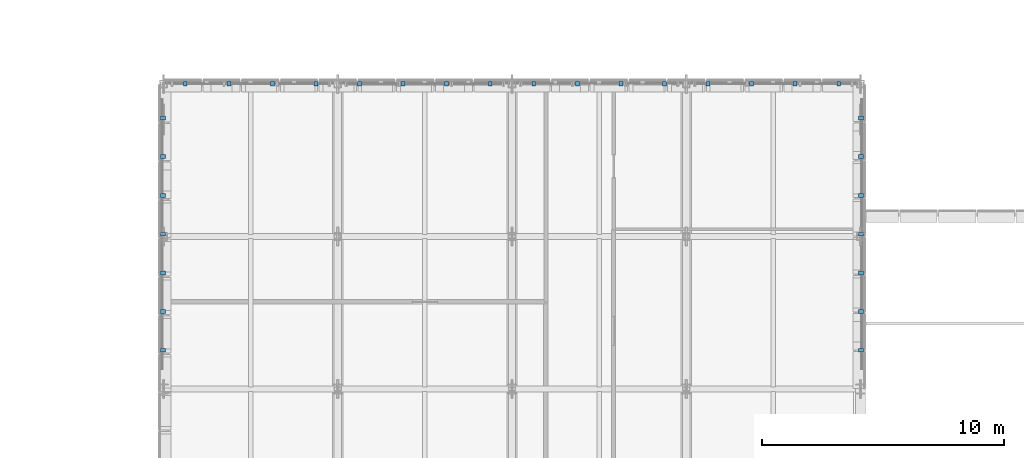
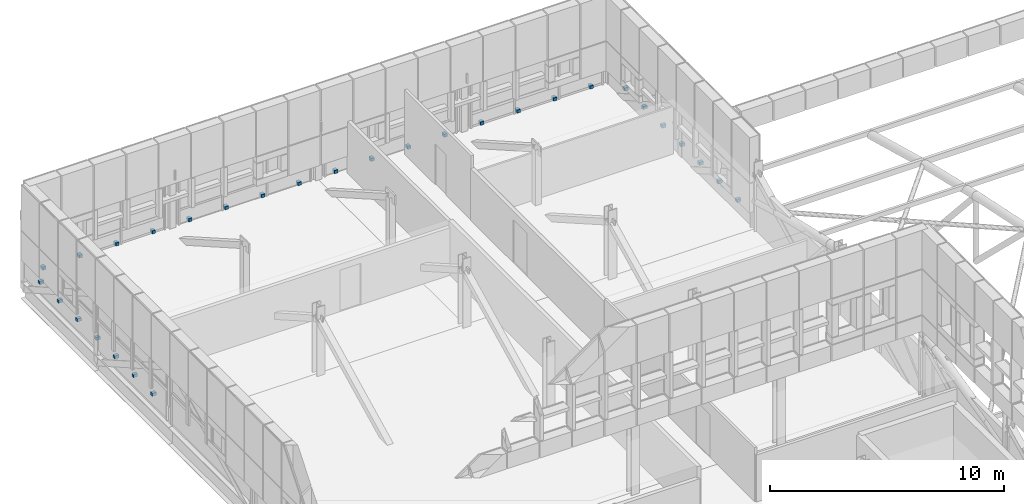
# One storey, part 73 of 96: 30 discrete accessories.
"""IFC4 building model written with IfcOpenShell, lengths in metres."""

from ifc_helpers import new_model, si_unit, direction, frame, origin, origin_2d, place, context, subcontext, project, spatial, rectangle, extrude, material, type_object, element, save


model = new_model("IFC4")

# Units and contexts
model_context = context("Model", 3, precision=1e-05, world=origin(), true_north=direction((0.0, 1.0)))
body_context = subcontext(model_context, "Body", "Model", "MODEL_VIEW")
ifc_project = project(units=[si_unit("LENGTHUNIT", "METRE"), si_unit("AREAUNIT", "SQUARE_METRE"), si_unit("VOLUMEUNIT", "CUBIC_METRE"), si_unit("PLANEANGLEUNIT", "RADIAN"), si_unit("MASSUNIT", "GRAM", prefix="KILO")], contexts=[model_context])

# Site, building, storey
site_placement = place(None, origin())
site = spatial("IfcSite", under=ifc_project, at=site_placement, CompositionType="ELEMENT")
building_placement = place(site_placement, origin())
building = spatial("IfcBuilding", under=site, at=building_placement, Name="Yarey Park Central Fire Station", CompositionType="ELEMENT")
storey_placement = place(building_placement, frame((0.0, 0.0, 14.39990234375)))
storey = spatial("IfcBuildingStorey", under=building, at=storey_placement, Name="L04", CompositionType="ELEMENT", Elevation=14.39990234375)

# Discrete accessories
ifc_material = material(Name="Stainless Steel AISI 316L", Category="steel")
discrete_accessory_type = type_object("IfcDiscreteAccessoryType", Name="ENV_BRK_SS1", PredefinedType="BRACKET", material=ifc_material)
for number, where, z_axis, x_axis, name in (
    (1, (29.699951171875, 99.010009765625, 0.0), (0.0, 0.0, 1.0), (1.0, 0.0, 0.0), "BRK_SCR_L04_N_031"),
    (2, (31.5, 99.010009765625, 0.0), (0.0, 0.0, 1.0), (1.0, 0.0, 0.0), "BRK_SCR_L04_N_032"),
    (3, (33.300048828125, 99.010009765625, 0.0), (0.0, 0.0, 1.0), (1.0, 0.0, 0.0), "BRK_SCR_L04_N_033"),
    (4, (35.10009765625, 99.010009765625, 0.0), (0.0, 0.0, 1.0), (1.0, 0.0, 0.0), "BRK_SCR_L04_N_034"),
    (5, (36.89990234375, 99.010009765625, 0.0), (0.0, 0.0, 1.0), (1.0, 0.0, 0.0), "BRK_SCR_L04_N_035"),
    (6, (38.699951171875, 99.010009765625, 0.0), (0.0, 0.0, 1.0), (1.0, 0.0, 0.0), "BRK_SCR_L04_N_036"),
    (7, (40.5, 99.010009765625, 0.0), (0.0, 0.0, 1.0), (1.0, 0.0, 0.0), "BRK_SCR_L04_N_037"),
    (8, (42.300048828125, 99.010009765625, 0.0), (0.0, 0.0, 1.0), (1.0, 0.0, 0.0), "BRK_SCR_L04_N_038"),
    (9, (44.10009765625, 99.010009765625, 0.0), (0.0, 0.0, 1.0), (1.0, 0.0, 0.0), "BRK_SCR_L04_N_039"),
    (10, (45.89990234375, 99.010009765625, 0.0), (0.0, 0.0, 1.0), (1.0, 0.0, 0.0), "BRK_SCR_L04_N_040"),
    (11, (47.699951171875, 99.010009765625, 0.0), (0.0, 0.0, 1.0), (1.0, 0.0, 0.0), "BRK_SCR_L04_N_041"),
    (12, (49.5, 99.010009765625, 0.0), (0.0, 0.0, 1.0), (1.0, 0.0, 0.0), "BRK_SCR_L04_N_042"),
    (13, (51.300048828125, 99.010009765625, 0.0), (0.0, 0.0, 1.0), (1.0, 0.0, 0.0), "BRK_SCR_L04_N_043"),
    (14, (53.10009765625, 99.010009765625, 0.0), (0.0, 0.0, 1.0), (1.0, 0.0, 0.0), "BRK_SCR_L04_N_044"),
    (15, (54.89990234375, 99.010009765625, 0.0), (0.0, 0.0, 1.0), (1.0, 0.0, 0.0), "BRK_SCR_L04_N_045"),
    (16, (56.699951171875, 99.010009765625, 0.0), (0.0, 0.0, 1.0), (1.0, 0.0, 0.0), "BRK_SCR_L04_N_046"),
):
    element("IfcDiscreteAccessory", number, at=place(storey_placement, frame(where, z_axis=z_axis, x_axis=x_axis)), inside=storey, type_object=discrete_accessory_type, Name=name, PredefinedType="BRACKET", context=body_context, shape_type="SweptSolid", body=[
        extrude(rectangle(XDim=0.159912109375, YDim=0.199951171875, at=origin_2d()), origin(), (0.0, 0.0, 1.0), 0.159912109375),
    ])
for number, where, z_axis, x_axis, name in (
    (17, (28.780029296875, 88.0, 0.419921875), (0.0, 0.0, 1.0), (1.0, 0.0, 0.0), "BRK_SCR_L04_SIDE_047"),
    (18, (57.6201171875, 88.0, 0.419921875), (0.0, 0.0, 1.0), (1.0, 0.0, 0.0), "BRK_SCR_L04_SIDE_048"),
    (19, (28.780029296875, 89.60009765625, 0.419921875), (0.0, 0.0, 1.0), (1.0, 0.0, 0.0), "BRK_SCR_L04_SIDE_049"),
    (20, (57.6201171875, 89.60009765625, 0.419921875), (0.0, 0.0, 1.0), (1.0, 0.0, 0.0), "BRK_SCR_L04_SIDE_050"),
    (21, (28.780029296875, 91.199951171875, 0.419921875), (0.0, 0.0, 1.0), (1.0, 0.0, 0.0), "BRK_SCR_L04_SIDE_051"),
    (22, (57.6201171875, 91.199951171875, 0.419921875), (0.0, 0.0, 1.0), (1.0, 0.0, 0.0), "BRK_SCR_L04_SIDE_052"),
    (23, (28.780029296875, 92.800048828125, 0.419921875), (0.0, 0.0, 1.0), (1.0, 0.0, 0.0), "BRK_SCR_L04_SIDE_053"),
    (24, (57.6201171875, 92.800048828125, 0.419921875), (0.0, 0.0, 1.0), (1.0, 0.0, 0.0), "BRK_SCR_L04_SIDE_054"),
    (25, (28.780029296875, 94.39990234375, 0.419921875), (0.0, 0.0, 1.0), (1.0, 0.0, 0.0), "BRK_SCR_L04_SIDE_055"),
    (26, (57.6201171875, 94.39990234375, 0.419921875), (0.0, 0.0, 1.0), (1.0, 0.0, 0.0), "BRK_SCR_L04_SIDE_056"),
    (27, (28.780029296875, 96.0, 0.419921875), (0.0, 0.0, 1.0), (1.0, 0.0, 0.0), "BRK_SCR_L04_SIDE_057"),
    (28, (57.6201171875, 96.0, 0.419921875), (0.0, 0.0, 1.0), (1.0, 0.0, 0.0), "BRK_SCR_L04_SIDE_058"),
    (29, (28.780029296875, 97.60009765625, 0.419921875), (0.0, 0.0, 1.0), (1.0, 0.0, 0.0), "BRK_SCR_L04_SIDE_059"),
    (30, (57.6201171875, 97.60009765625, 0.419921875), (0.0, 0.0, 1.0), (1.0, 0.0, 0.0), "BRK_SCR_L04_SIDE_060"),
):
    element("IfcDiscreteAccessory", number, at=place(storey_placement, frame(where, z_axis=z_axis, x_axis=x_axis)), inside=storey, type_object=discrete_accessory_type, Name=name, PredefinedType="BRACKET", context=body_context, shape_type="SweptSolid", body=[
        extrude(rectangle(XDim=0.199951171875, YDim=0.159912109375, at=origin_2d()), origin(), (0.0, 0.0, 1.0), 0.159912109375),
    ])

save(model, "model.ifc")
